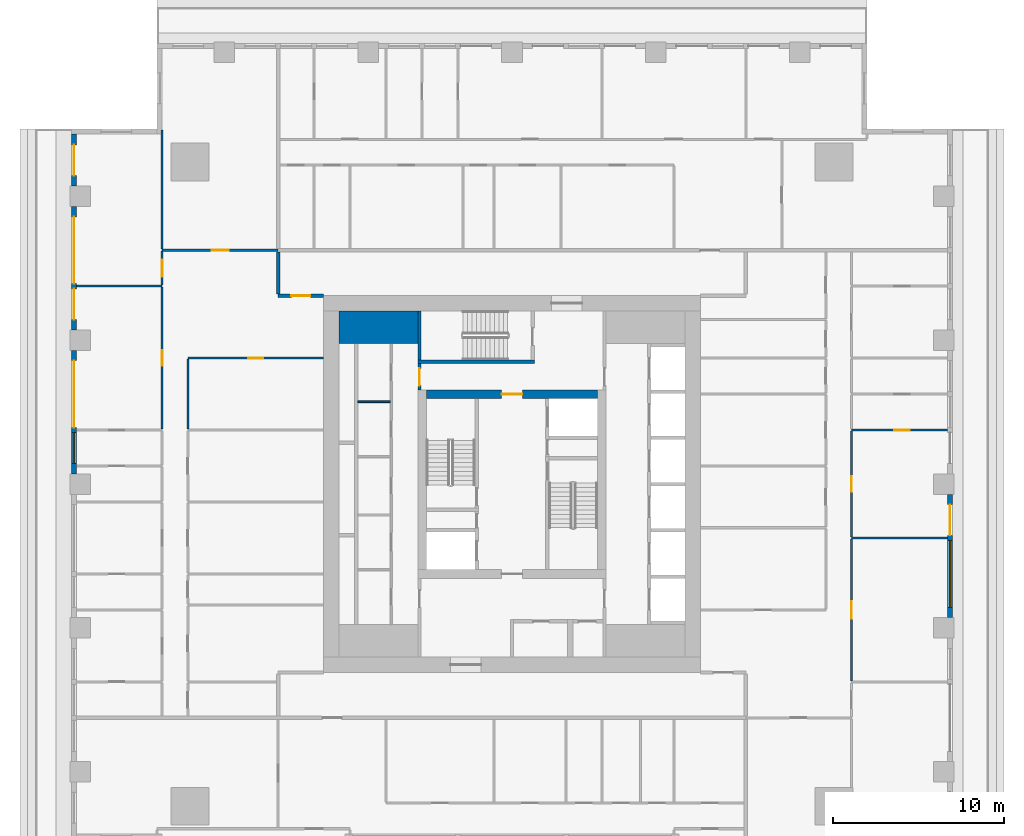
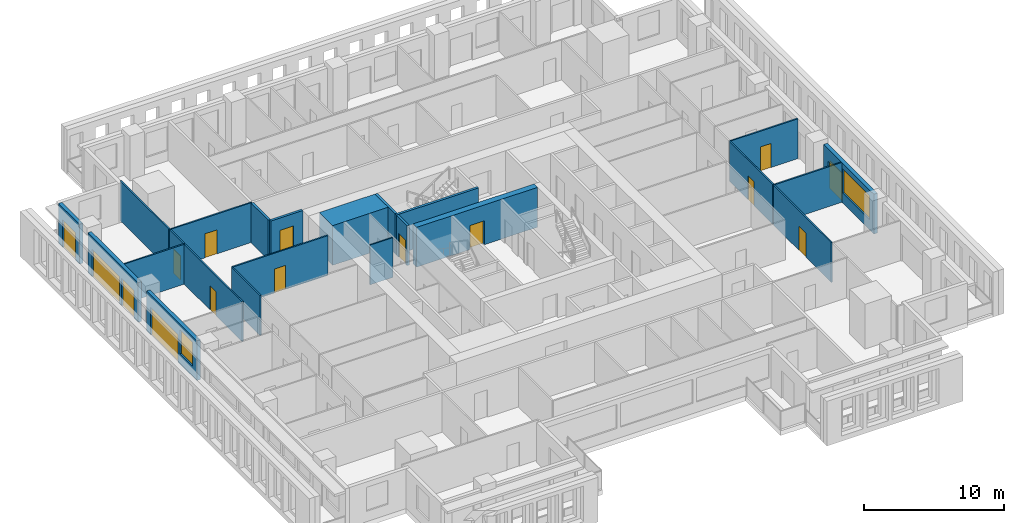
# One storey, part 6 of 14: 23 walls, 15 doors, 2 windows, 17 openings.
"""IFC4 building model written with IfcOpenShell, lengths in metres."""

from ifc_helpers import new_model, si_unit, direction, frame, frame_2d, origin, place, context, subcontext, project, spatial, rectangle, extrude, material, layer, layer_set, type_object, element, fill, save


model = new_model("IFC4")

# Units and contexts
model_context = context("Model", 3, precision=1e-05, world=origin(), true_north=direction((0.0, 1.0)))
body_context = subcontext(model_context, "Body", "Model", "MODEL_VIEW")
ifc_project = project(units=[si_unit("LENGTHUNIT", "METRE"), si_unit("AREAUNIT", "SQUARE_METRE"), si_unit("VOLUMEUNIT", "CUBIC_METRE"), si_unit("PLANEANGLEUNIT", "RADIAN"), si_unit("MASSUNIT", "GRAM", prefix="KILO")], contexts=[model_context])

# Site, building, storey
site_placement = place(None, origin())
site = spatial("IfcSite", under=ifc_project, at=site_placement, CompositionType="ELEMENT")
building_placement = place(site_placement, origin())
building = spatial("IfcBuilding", under=site, at=building_placement, Name="Khepri Terraces", CompositionType="ELEMENT")
storey_placement = place(building_placement, frame((0.0, 0.0, 264.0)))
storey = spatial("IfcBuildingStorey", under=building, at=storey_placement, Name="L63", CompositionType="ELEMENT", Elevation=264.0)

# Walls
ifc_material_1 = material(Name="Concrete C40/50", Category="concrete")
ifc_layer_1 = layer(ifc_material_1, 1.89990234375, Name="Concrete C40/50", Category="concrete")
ifc_layer_set_1 = layer_set([ifc_layer_1], Name="Concrete C40/50")
wall_type_1 = type_object("IfcWallType", Name="Core wall 1900 C40/50", PredefinedType="SHEAR", material=ifc_layer_set_1)
wall_1_placement = place(storey_placement, frame((-10.10009765625, 9.14990234375, 0.0), z_axis=(0.0, 0.0, 1.0), x_axis=(1.0, 0.0, 0.0)))
element("IfcWall", 1, at=wall_1_placement, inside=storey, type_object=wall_type_1, Name="Core wall PR03 L63", PredefinedType="SHEAR", context=body_context, shape_type="SweptSolid", body=[
    extrude(rectangle(XDim=4.60009765625, YDim=1.89990234375, at=frame_2d((2.300048828125, 0.0))), origin(), (0.0, 0.0, 1.0), 3.47998046875),
])
ifc_layer_2 = layer(ifc_material_1, 0.199951171875, Name="Concrete C40/50", Category="concrete")
ifc_layer_set_2 = layer_set([ifc_layer_2], Name="Concrete C40/50")
wall_type_2 = type_object("IfcWallType", Name="Core wall 200 C40/50", PredefinedType="SHEAR", material=ifc_layer_set_2)
wall_2_placement = place(storey_placement, frame((-5.5, 7.14990234375, 0.0), z_axis=(0.0, 0.0, 1.0), x_axis=(1.0, 0.0, 0.0)))
element("IfcWall", 2, at=wall_2_placement, inside=storey, type_object=wall_type_2, Name="Core wall ST05 L63", PredefinedType="SHEAR", context=body_context, shape_type="SweptSolid", body=[
    extrude(rectangle(XDim=6.800048828125, YDim=0.199951171875, at=frame_2d((3.39990234375, 0.0))), origin(), (0.0, 0.0, 1.0), 3.47998046875),
])
wall_3_placement = place(storey_placement, frame((-5.39990234375, 7.25, 0.0), z_axis=(0.0, 0.0, 1.0), x_axis=(0.0, 1.0, 0.0)))
element("IfcWall", 3, at=wall_3_placement, inside=storey, type_object=wall_type_2, Name="Core wall ST06 L63", PredefinedType="SHEAR", context=body_context, shape_type="SweptSolid", body=[
    extrude(rectangle(XDim=2.85009765625, YDim=0.199951171875, at=frame_2d((1.425048828125, 0.0))), origin(), (0.0, 0.0, 1.0), 3.47998046875),
])

# Wall, opening, door
ifc_layer_3 = layer(ifc_material_1, 0.5, Name="Concrete C40/50", Category="concrete")
ifc_layer_set_3 = layer_set([ifc_layer_3], Name="Concrete C40/50")
wall_type_3 = type_object("IfcWallType", Name="Core wall 500 C40/50", PredefinedType="SHEAR", material=ifc_layer_set_3)
wall_4_placement = place(storey_placement, frame((-5.0, 5.25, 0.0), z_axis=(0.0, 0.0, 1.0), x_axis=(1.0, 0.0, 0.0)))
wall_4 = element("IfcWall", 4, at=wall_4_placement, inside=storey, type_object=wall_type_3, Name="Core wall BX04 L63", PredefinedType="SHEAR", context=body_context, shape_type="SweptSolid", body=[
    extrude(rectangle(XDim=10.0, YDim=0.5, at=frame_2d((5.0, 0.0))), origin(), (0.0, 0.0, 1.0), 3.47998046875),
])
opening_1_placement = place(wall_4_placement, frame((4.39990234375, 0.0, 0.0)))
opening_1 = element("IfcOpeningElement", 5, at=opening_1_placement, cuts=wall_4, Name="Opening L63-C13", PredefinedType="OPENING", context=body_context, shape_type="SweptSolid", body=[
    extrude(rectangle(XDim=1.199951171875, YDim=2.10009765625, at=frame_2d((0.60009765625, 1.050048828125))), frame((0.0, 0.260009765625, 0.0), z_axis=(0.0, -1.0, 0.0), x_axis=(1.0, 0.0, 0.0)), (0.0, 0.0, 1.0), 0.52001953125),
])
ifc_material_2 = material(Name="Painted steel", Category="steel")
door_type_1 = type_object("IfcDoorType", Name="DR-CORE-FF-LOBBY-1200", OperationType="NOTDEFINED", PredefinedType="DOOR", material=ifc_material_2)
door_1_placement = place(opening_1_placement, frame((1.199951171875, 0.0, 0.0), z_axis=(0.0, 0.0, 1.0), x_axis=(-1.0, 0.0, 0.0)))
door_1 = element("IfcDoor", 6, at=door_1_placement, inside=storey, type_object=door_type_1, Name="Firefighting lobby door L63-C13", OperationType="SINGLE_SWING_LEFT", OverallHeight=2.10009765625, OverallWidth=1.199951171875, PredefinedType="DOOR", context=body_context, shape_type="SweptSolid", body=[
    extrude(rectangle(XDim=1.199951171875, YDim=2.10009765625, at=frame_2d((0.60009765625, 1.050048828125))), frame((0.0, 0.02490234375, 0.0), z_axis=(0.0, -1.0, 0.0), x_axis=(1.0, 0.0, 0.0)), (0.0, 0.0, 1.0), 0.050048828125),
])
fill(opening_1, door_1)

# Wall
ifc_material_3 = material(Name="Fire-rated gypsum board partition")
ifc_layer_4 = layer(ifc_material_3, 0.10009765625, Name="Fire-rated gypsum board partition")
ifc_layer_set_4 = layer_set([ifc_layer_4], Name="Fire-rated gypsum board partition")
wall_type_4 = type_object("IfcWallType", Name="WL-CORE-PART-100", PredefinedType="PARTITIONING", material=ifc_layer_set_4)
wall_5_placement = place(storey_placement, frame((-9.0, 4.800048828125, 0.0), z_axis=(0.0, 0.0, 1.0), x_axis=(1.0, 0.0, 0.0)))
element("IfcWall", 7, at=wall_5_placement, inside=storey, type_object=wall_type_4, Name="Core partition PT11 L63", PredefinedType="PARTITIONING", context=body_context, shape_type="SweptSolid", body=[
    extrude(rectangle(XDim=1.89990234375, YDim=0.10009765625, at=frame_2d((0.949951171875, 0.0))), origin(), (0.0, 0.0, 1.0), 3.47998046875),
])

# Wall, opening, door
ifc_layer_5 = layer(ifc_material_3, 0.199951171875, Name="Fire-rated gypsum board partition")
ifc_layer_set_5 = layer_set([ifc_layer_5], Name="Fire-rated gypsum board partition")
wall_type_5 = type_object("IfcWallType", Name="WL-CORE-PART-200", PredefinedType="PARTITIONING", material=ifc_layer_set_5)
wall_6_placement = place(storey_placement, frame((-5.39990234375, 5.5, 0.0), z_axis=(0.0, 0.0, 1.0), x_axis=(0.0, 1.0, 0.0)))
wall_6 = element("IfcWall", 8, at=wall_6_placement, inside=storey, type_object=wall_type_5, Name="Core partition PT12 L63", PredefinedType="PARTITIONING", context=body_context, shape_type="SweptSolid", body=[
    extrude(rectangle(XDim=1.550048828125, YDim=0.199951171875, at=frame_2d((0.77490234375, 0.0))), origin(), (0.0, 0.0, 1.0), 3.47998046875),
])
opening_2_placement = place(wall_6_placement, frame((0.25, 0.0, 0.0)))
opening_2 = element("IfcOpeningElement", 9, at=opening_2_placement, cuts=wall_6, Name="Opening L63-C16", PredefinedType="OPENING", context=body_context, shape_type="SweptSolid", body=[
    extrude(rectangle(XDim=1.0, YDim=2.10009765625, at=frame_2d((0.5, 1.050048828125))), frame((0.0, 0.10986328125, 0.0), z_axis=(0.0, -1.0, 0.0), x_axis=(1.0, 0.0, 0.0)), (0.0, 0.0, 1.0), 0.219970703125),
])
door_type_2 = type_object("IfcDoorType", Name="DR-CORE-LOBBY-1000", OperationType="NOTDEFINED", PredefinedType="DOOR", material=ifc_material_2)
door_2_placement = place(opening_2_placement, frame((1.0, 0.0, 0.0), z_axis=(0.0, 0.0, 1.0), x_axis=(-1.0, 0.0, 0.0)))
door_2 = element("IfcDoor", 10, at=door_2_placement, inside=storey, type_object=door_type_2, Name="Lobby door L63-C16", OperationType="SINGLE_SWING_RIGHT", OverallHeight=2.10009765625, OverallWidth=1.0, PredefinedType="DOOR", context=body_context, shape_type="SweptSolid", body=[
    extrude(rectangle(XDim=1.0, YDim=2.10009765625, at=frame_2d((0.5, 1.050048828125))), frame((0.0, 0.02490234375, 0.0), z_axis=(0.0, -1.0, 0.0), x_axis=(1.0, 0.0, 0.0)), (0.0, 0.0, 1.0), 0.050048828125),
])
fill(opening_2, door_2)

ifc_material_4 = material(Name="Fire-rated gypsum plasterboard partition, mineral wool")
ifc_layer_6 = layer(ifc_material_4, 0.199951171875, Name="Fire-rated gypsum plasterboard partition, mineral wool")
ifc_layer_set_6 = layer_set([ifc_layer_6], Name="Fire-rated gypsum plasterboard partition, mineral wool")
wall_type_6 = type_object("IfcWallType", Name="WL-CORR-200", PredefinedType="PARTITIONING", material=ifc_layer_set_6)
wall_7_placement = place(storey_placement, frame((-13.64990234375, 11.0, 0.0), z_axis=(0.0, 0.0, 1.0), x_axis=(1.0, 0.0, 0.0)))
wall_7 = element("IfcWall", 11, at=wall_7_placement, inside=storey, type_object=wall_type_6, Name="Partition P-072 L63", PredefinedType="PARTITIONING", context=body_context, shape_type="SweptSolid", body=[
    extrude(rectangle(XDim=2.64990234375, YDim=0.199951171875, at=frame_2d((1.324951171875, 0.0))), origin(), (0.0, 0.0, 1.0), 3.47998046875),
])
opening_3_placement = place(wall_7_placement, frame((0.77490234375, 0.0, 0.0)))
opening_3 = element("IfcOpeningElement", 12, at=opening_3_placement, cuts=wall_7, Name="Opening D1", PredefinedType="OPENING", context=body_context, shape_type="SweptSolid", body=[
    extrude(rectangle(XDim=1.10009765625, YDim=2.39990234375, at=frame_2d((0.550048828125, 1.199951171875))), frame((0.0, 0.10986328125, 0.0), z_axis=(0.0, -1.0, 0.0), x_axis=(1.0, 0.0, 0.0)), (0.0, 0.0, 1.0), 0.219970703125),
])
ifc_material_5 = material(Name="Solid-core timber door leaf, flat entrance door", Category="wood")
door_type_3 = type_object("IfcDoorType", Name="DR-ENT-1100", OperationType="NOTDEFINED", PredefinedType="DOOR", material=ifc_material_5)
door_3_placement = place(opening_3_placement, frame((1.10009765625, 0.0, 0.0), z_axis=(0.0, 0.0, 1.0), x_axis=(-1.0, 0.0, 0.0)))
door_3 = element("IfcDoor", 13, at=door_3_placement, inside=storey, type_object=door_type_3, Name="Flat D1 entrance door", OperationType="SINGLE_SWING_LEFT", OverallHeight=2.39990234375, OverallWidth=1.10009765625, PredefinedType="DOOR", context=body_context, shape_type="SweptSolid", body=[
    extrude(rectangle(XDim=1.10009765625, YDim=2.39990234375, at=frame_2d((0.550048828125, 1.199951171875))), frame((0.0, 0.02490234375, 0.0), z_axis=(0.0, -1.0, 0.0), x_axis=(1.0, 0.0, 0.0)), (0.0, 0.0, 1.0), 0.050048828125),
])
fill(opening_3, door_3)

# Wall
wall_8_placement = place(storey_placement, frame((-13.64990234375, 11.10009765625, 0.0), z_axis=(0.0, 0.0, 1.0), x_axis=(0.0, 1.0, 0.0)))
element("IfcWall", 14, at=wall_8_placement, inside=storey, type_object=wall_type_6, Name="Partition P-074 L63", PredefinedType="PARTITIONING", context=body_context, shape_type="SweptSolid", body=[
    extrude(rectangle(XDim=2.449951171875, YDim=0.199951171875, at=frame_2d((1.22509765625, 0.0))), origin(), (0.0, 0.0, 1.0), 3.47998046875),
])

# Wall, openings, door, window
ifc_material_6 = material(Name="Precast concrete C50/60 warm stone", Category="masonry")
ifc_layer_7 = layer(ifc_material_6, 0.300048828125, Name="Precast concrete C50/60 warm stone", Category="masonry")
ifc_layer_set_7 = layer_set([ifc_layer_7], Name="Precast concrete C50/60 warm stone")
wall_type_7 = type_object("IfcWallType", Name="WL-EXT-PRECAST-300", PredefinedType="STANDARD", material=ifc_layer_set_7)
wall_9_placement = place(storey_placement, frame((25.570068359375, -7.800048828125, 0.0), z_axis=(0.0, 0.0, 1.0), x_axis=(0.0, 1.0, 0.0)))
wall_9 = element("IfcWall", 15, at=wall_9_placement, inside=storey, type_object=wall_type_7, Name="External wall L63 E", PredefinedType="STANDARD", context=body_context, shape_type="SweptSolid", body=[
    extrude(rectangle(XDim=7.199951171875, YDim=0.300048828125, at=frame_2d((3.60009765625, 0.0))), origin(), (0.0, 0.0, 1.0), 3.47998046875),
])
opening_4_placement = place(wall_9_placement, frame((0.60009765625, 0.0, 0.89990234375)))
opening_4 = element("IfcOpeningElement", 16, at=opening_4_placement, cuts=wall_9, Name="Opening W2", PredefinedType="OPENING", context=body_context, shape_type="SweptSolid", body=[
    extrude(rectangle(XDim=3.89990234375, YDim=2.10009765625, at=frame_2d((1.949951171875, 1.050048828125))), frame((0.0, 0.16015625, 0.0), z_axis=(0.0, -1.0, 0.0), x_axis=(1.0, 0.0, 0.0)), (0.0, 0.0, 1.0), 0.320068359375),
])
opening_5_placement = place(wall_9_placement, frame((4.800048828125, 0.0, 0.0)))
opening_5 = element("IfcOpeningElement", 17, at=opening_5_placement, cuts=wall_9, Name="Opening ED-L63-03", PredefinedType="OPENING", context=body_context, shape_type="SweptSolid", body=[
    extrude(rectangle(XDim=1.800048828125, YDim=2.39990234375, at=frame_2d((0.89990234375, 1.199951171875))), frame((0.0, 0.16015625, 0.0), z_axis=(0.0, -1.0, 0.0), x_axis=(1.0, 0.0, 0.0)), (0.0, 0.0, 1.0), 0.320068359375),
])
ifc_material_7 = material(Name="Anodised aluminium bronze glazed door", Category="aluminium")
door_type_4 = type_object("IfcDoorType", Name="DR-BAL-SLIDE-1800x2400", OperationType="NOTDEFINED", PredefinedType="DOOR", material=ifc_material_7)
door_4_placement = place(opening_5_placement, origin())
door_4 = element("IfcDoor", 18, at=door_4_placement, inside=storey, type_object=door_type_4, Name="Balcony door L63 E", OperationType="SLIDING_TO_RIGHT", OverallHeight=2.39990234375, OverallWidth=1.800048828125, PredefinedType="DOOR", context=body_context, shape_type="SweptSolid", body=[
    extrude(rectangle(XDim=1.800048828125, YDim=2.39990234375, at=frame_2d((0.89990234375, 1.199951171875))), frame((0.0, 0.02490234375, 0.0), z_axis=(0.0, -1.0, 0.0), x_axis=(1.0, 0.0, 0.0)), (0.0, 0.0, 1.0), 0.050048828125),
])
fill(opening_5, door_4)
ifc_material_8 = material(Name="Clear glass", Category="glass")
window_type_1 = type_object("IfcWindowType", Name="WIN-RES-3900x2100", PartitioningType="SINGLE_PANEL", PredefinedType="WINDOW", material=ifc_material_8)
window_1_placement = place(opening_4_placement, origin())
window_1 = element("IfcWindow", 19, at=window_1_placement, inside=storey, type_object=window_type_1, Name="Window L63 E", OverallHeight=2.10009765625, OverallWidth=3.89990234375, PartitioningType="SINGLE_PANEL", PredefinedType="WINDOW", context=body_context, shape_type="SweptSolid", body=[
    extrude(rectangle(XDim=3.89990234375, YDim=2.10009765625, at=frame_2d((1.949951171875, 1.050048828125))), frame((0.0, 0.030029296875, 0.0), z_axis=(0.0, -1.0, 0.0), x_axis=(1.0, 0.0, 0.0)), (0.0, 0.0, 1.0), 0.06005859375),
])
fill(opening_4, window_1)

# Wall, opening, door
wall_10_placement = place(storey_placement, frame((-25.570068359375, 20.419921875, 0.0), z_axis=(0.0, 0.0, 1.0), x_axis=(0.0, -1.0, 0.0)))
wall_10 = element("IfcWall", 20, at=wall_10_placement, inside=storey, type_object=wall_type_7, Name="External wall L63 W", PredefinedType="STANDARD", context=body_context, shape_type="SweptSolid", body=[
    extrude(rectangle(XDim=3.02001953125, YDim=0.300048828125, at=frame_2d((1.510009765625, 0.0))), origin(), (0.0, 0.0, 1.0), 3.47998046875),
])
opening_6_placement = place(wall_10_placement, frame((0.6201171875, 0.0, 0.0)))
opening_6 = element("IfcOpeningElement", 21, at=opening_6_placement, cuts=wall_10, Name="Opening ED-L63-11", PredefinedType="OPENING", context=body_context, shape_type="SweptSolid", body=[
    extrude(rectangle(XDim=1.800048828125, YDim=2.39990234375, at=frame_2d((0.89990234375, 1.199951171875))), frame((0.0, 0.16015625, 0.0), z_axis=(0.0, -1.0, 0.0), x_axis=(1.0, 0.0, 0.0)), (0.0, 0.0, 1.0), 0.320068359375),
])
door_5_placement = place(opening_6_placement, origin())
door_5 = element("IfcDoor", 22, at=door_5_placement, inside=storey, type_object=door_type_4, Name="Balcony door L63 W", OperationType="SLIDING_TO_RIGHT", OverallHeight=2.39990234375, OverallWidth=1.800048828125, PredefinedType="DOOR", context=body_context, shape_type="SweptSolid", body=[
    extrude(rectangle(XDim=1.800048828125, YDim=2.39990234375, at=frame_2d((0.89990234375, 1.199951171875))), frame((0.0, 0.02490234375, 0.0), z_axis=(0.0, -1.0, 0.0), x_axis=(1.0, 0.0, 0.0)), (0.0, 0.0, 1.0), 0.050048828125),
])
fill(opening_6, door_5)

# Wall, openings, doors
wall_11_placement = place(storey_placement, frame((-25.570068359375, 16.199951171875, 0.0), z_axis=(0.0, 0.0, 1.0), x_axis=(0.0, -1.0, 0.0)))
wall_11 = element("IfcWall", 23, at=wall_11_placement, inside=storey, type_object=wall_type_7, Name="External wall L63 W", PredefinedType="STANDARD", context=body_context, shape_type="SweptSolid", body=[
    extrude(rectangle(XDim=7.199951171875, YDim=0.300048828125, at=frame_2d((3.60009765625, 0.0))), origin(), (0.0, 0.0, 1.0), 3.47998046875),
])
opening_7_placement = place(wall_11_placement, frame((0.60009765625, 0.0, 0.0)))
opening_7 = element("IfcOpeningElement", 24, at=opening_7_placement, cuts=wall_11, Name="Opening ED-L63-12", PredefinedType="OPENING", context=body_context, shape_type="SweptSolid", body=[
    extrude(rectangle(XDim=3.89990234375, YDim=2.39990234375, at=frame_2d((1.949951171875, 1.199951171875))), frame((0.0, 0.16015625, 0.0), z_axis=(0.0, -1.0, 0.0), x_axis=(1.0, 0.0, 0.0)), (0.0, 0.0, 1.0), 0.320068359375),
])
opening_8_placement = place(wall_11_placement, frame((4.800048828125, 0.0, 0.0)))
opening_8 = element("IfcOpeningElement", 25, at=opening_8_placement, cuts=wall_11, Name="Opening ED-L63-13", PredefinedType="OPENING", context=body_context, shape_type="SweptSolid", body=[
    extrude(rectangle(XDim=1.800048828125, YDim=2.39990234375, at=frame_2d((0.89990234375, 1.199951171875))), frame((0.0, 0.16015625, 0.0), z_axis=(0.0, -1.0, 0.0), x_axis=(1.0, 0.0, 0.0)), (0.0, 0.0, 1.0), 0.320068359375),
])
door_6_placement = place(opening_8_placement, origin())
door_6 = element("IfcDoor", 26, at=door_6_placement, inside=storey, type_object=door_type_4, Name="Balcony door L63 W", OperationType="SLIDING_TO_RIGHT", OverallHeight=2.39990234375, OverallWidth=1.800048828125, PredefinedType="DOOR", context=body_context, shape_type="SweptSolid", body=[
    extrude(rectangle(XDim=1.800048828125, YDim=2.39990234375, at=frame_2d((0.89990234375, 1.199951171875))), frame((0.0, 0.02490234375, 0.0), z_axis=(0.0, -1.0, 0.0), x_axis=(1.0, 0.0, 0.0)), (0.0, 0.0, 1.0), 0.050048828125),
])
fill(opening_8, door_6)
door_type_5 = type_object("IfcDoorType", Name="DR-BAL-SLIDE-3900x2400", OperationType="NOTDEFINED", PredefinedType="DOOR", material=ifc_material_7)
door_7_placement = place(opening_7_placement, origin())
door_7 = element("IfcDoor", 27, at=door_7_placement, inside=storey, type_object=door_type_5, Name="Balcony door L63 W", OperationType="SLIDING_TO_LEFT", OverallHeight=2.39990234375, OverallWidth=3.89990234375, PredefinedType="DOOR", context=body_context, shape_type="SweptSolid", body=[
    extrude(rectangle(XDim=3.89990234375, YDim=2.39990234375, at=frame_2d((1.949951171875, 1.199951171875))), frame((0.0, 0.02490234375, 0.0), z_axis=(0.0, -1.0, 0.0), x_axis=(1.0, 0.0, 0.0)), (0.0, 0.0, 1.0), 0.050048828125),
])
fill(opening_7, door_7)

# Wall, openings, door, window
wall_12_placement = place(storey_placement, frame((-25.570068359375, 7.800048828125, 0.0), z_axis=(0.0, 0.0, 1.0), x_axis=(0.0, -1.0, 0.0)))
wall_12 = element("IfcWall", 28, at=wall_12_placement, inside=storey, type_object=wall_type_7, Name="External wall L63 W", PredefinedType="STANDARD", context=body_context, shape_type="SweptSolid", body=[
    extrude(rectangle(XDim=7.199951171875, YDim=0.300048828125, at=frame_2d((3.60009765625, 0.0))), origin(), (0.0, 0.0, 1.0), 3.47998046875),
])
opening_9_placement = place(wall_12_placement, frame((0.60009765625, 0.0, 0.0)))
opening_9 = element("IfcOpeningElement", 29, at=opening_9_placement, cuts=wall_12, Name="Opening ED-L63-14", PredefinedType="OPENING", context=body_context, shape_type="SweptSolid", body=[
    extrude(rectangle(XDim=3.89990234375, YDim=2.39990234375, at=frame_2d((1.949951171875, 1.199951171875))), frame((0.0, 0.16015625, 0.0), z_axis=(0.0, -1.0, 0.0), x_axis=(1.0, 0.0, 0.0)), (0.0, 0.0, 1.0), 0.320068359375),
])
opening_10_placement = place(wall_12_placement, frame((4.800048828125, 0.0, 0.89990234375)))
opening_10 = element("IfcOpeningElement", 30, at=opening_10_placement, cuts=wall_12, Name="Opening W1", PredefinedType="OPENING", context=body_context, shape_type="SweptSolid", body=[
    extrude(rectangle(XDim=1.800048828125, YDim=2.10009765625, at=frame_2d((0.89990234375, 1.050048828125))), frame((0.0, 0.16015625, 0.0), z_axis=(0.0, -1.0, 0.0), x_axis=(1.0, 0.0, 0.0)), (0.0, 0.0, 1.0), 0.320068359375),
])
door_8_placement = place(opening_9_placement, origin())
door_8 = element("IfcDoor", 31, at=door_8_placement, inside=storey, type_object=door_type_5, Name="Balcony door L63 W", OperationType="SLIDING_TO_LEFT", OverallHeight=2.39990234375, OverallWidth=3.89990234375, PredefinedType="DOOR", context=body_context, shape_type="SweptSolid", body=[
    extrude(rectangle(XDim=3.89990234375, YDim=2.39990234375, at=frame_2d((1.949951171875, 1.199951171875))), frame((0.0, 0.02490234375, 0.0), z_axis=(0.0, -1.0, 0.0), x_axis=(1.0, 0.0, 0.0)), (0.0, 0.0, 1.0), 0.050048828125),
])
fill(opening_9, door_8)
window_type_2 = type_object("IfcWindowType", Name="WIN-RES-1800x2100", PartitioningType="SINGLE_PANEL", PredefinedType="WINDOW", material=ifc_material_8)
window_2_placement = place(opening_10_placement, origin())
window_2 = element("IfcWindow", 32, at=window_2_placement, inside=storey, type_object=window_type_2, Name="Window L63 W", OverallHeight=2.10009765625, OverallWidth=1.800048828125, PartitioningType="SINGLE_PANEL", PredefinedType="WINDOW", context=body_context, shape_type="SweptSolid", body=[
    extrude(rectangle(XDim=1.800048828125, YDim=2.10009765625, at=frame_2d((0.89990234375, 1.050048828125))), frame((0.0, 0.030029296875, 0.0), z_axis=(0.0, -1.0, 0.0), x_axis=(1.0, 0.0, 0.0)), (0.0, 0.0, 1.0), 0.06005859375),
])
fill(opening_10, window_2)

# Wall, opening, door
ifc_material_9 = material(Name="Gypsum plasterboard partition")
ifc_layer_8 = layer(ifc_material_9, 0.1201171875, Name="Gypsum plasterboard partition")
ifc_layer_set_8 = layer_set([ifc_layer_8], Name="Gypsum plasterboard partition")
wall_type_8 = type_object("IfcWallType", Name="WL-PART-120", PredefinedType="PARTITIONING", material=ifc_layer_set_8)
wall_13_placement = place(storey_placement, frame((19.820068359375, -11.489990234375, 0.0), z_axis=(0.0, 0.0, 1.0), x_axis=(0.0, 1.0, 0.0)))
wall_13 = element("IfcWall", 33, at=wall_13_placement, inside=storey, type_object=wall_type_8, Name="Partition P-030 L63", PredefinedType="PARTITIONING", context=body_context, shape_type="SweptSolid", body=[
    extrude(rectangle(XDim=8.280029296875, YDim=0.1201171875, at=frame_2d((4.14013671875, 0.0))), origin(), (0.0, 0.0, 1.0), 3.47998046875),
])
opening_11_placement = place(wall_13_placement, frame((3.639892578125, 0.0, 0.0)))
opening_11 = element("IfcOpeningElement", 34, at=opening_11_placement, cuts=wall_13, Name="Opening D2", PredefinedType="OPENING", context=body_context, shape_type="SweptSolid", body=[
    extrude(rectangle(XDim=1.0, YDim=2.10009765625, at=frame_2d((0.5, 1.050048828125))), frame((0.0, 0.070068359375, 0.0), z_axis=(0.0, -1.0, 0.0), x_axis=(1.0, 0.0, 0.0)), (0.0, 0.0, 1.0), 0.14013671875),
])
ifc_material_10 = material(Name="Timber door leaf, living room door", Category="wood")
door_type_6 = type_object("IfcDoorType", Name="DR-INT-1000", OperationType="NOTDEFINED", PredefinedType="DOOR", material=ifc_material_10)
door_9_placement = place(opening_11_placement, frame((1.0, 0.0, 0.0), z_axis=(0.0, 0.0, 1.0), x_axis=(-1.0, 0.0, 0.0)))
door_9 = element("IfcDoor", 35, at=door_9_placement, inside=storey, type_object=door_type_6, Name="Door Dining Room", OperationType="SINGLE_SWING_RIGHT", OverallHeight=2.10009765625, OverallWidth=1.0, PredefinedType="DOOR", context=body_context, shape_type="SweptSolid", body=[
    extrude(rectangle(XDim=1.0, YDim=2.10009765625, at=frame_2d((0.5, 1.050048828125))), frame((0.0, 0.02490234375, 0.0), z_axis=(0.0, -1.0, 0.0), x_axis=(1.0, 0.0, 0.0)), (0.0, 0.0, 1.0), 0.050048828125),
])
fill(opening_11, door_9)

# Wall
wall_14_placement = place(storey_placement, frame((19.820068359375, -3.14990234375, 0.0), z_axis=(0.0, 0.0, 1.0), x_axis=(1.0, 0.0, 0.0)))
element("IfcWall", 36, at=wall_14_placement, inside=storey, type_object=wall_type_8, Name="Partition P-043 L63", PredefinedType="PARTITIONING", context=body_context, shape_type="SweptSolid", body=[
    extrude(rectangle(XDim=5.599853515625, YDim=0.1201171875, at=frame_2d((2.7998046875, 0.0))), origin(), (0.0, 0.0, 1.0), 3.47998046875),
])

# Wall, opening, door
wall_15_placement = place(storey_placement, frame((19.820068359375, -3.090087890625, 0.0), z_axis=(0.0, 0.0, 1.0), x_axis=(0.0, 1.0, 0.0)))
wall_15 = element("IfcWall", 37, at=wall_15_placement, inside=storey, type_object=wall_type_8, Name="Partition P-044 L63", PredefinedType="PARTITIONING", context=body_context, shape_type="SweptSolid", body=[
    extrude(rectangle(XDim=6.18017578125, YDim=0.1201171875, at=frame_2d((3.090087890625, 0.0))), origin(), (0.0, 0.0, 1.0), 3.47998046875),
])
opening_12_placement = place(wall_15_placement, frame((2.639892578125, 0.0, 0.0)))
opening_12 = element("IfcOpeningElement", 38, at=opening_12_placement, cuts=wall_15, Name="Opening D3", PredefinedType="OPENING", context=body_context, shape_type="SweptSolid", body=[
    extrude(rectangle(XDim=0.89990234375, YDim=2.10009765625, at=frame_2d((0.449951171875, 1.050048828125))), frame((0.0, 0.070068359375, 0.0), z_axis=(0.0, -1.0, 0.0), x_axis=(1.0, 0.0, 0.0)), (0.0, 0.0, 1.0), 0.14013671875),
])
ifc_material_11 = material(Name="Timber door leaf", Category="wood")
door_type_7 = type_object("IfcDoorType", Name="DR-INT-900", OperationType="NOTDEFINED", PredefinedType="DOOR", material=ifc_material_11)
door_10_placement = place(opening_12_placement, frame((0.89990234375, 0.0, 0.0), z_axis=(0.0, 0.0, 1.0), x_axis=(-1.0, 0.0, 0.0)))
door_10 = element("IfcDoor", 39, at=door_10_placement, inside=storey, type_object=door_type_7, Name="Door Master Bedroom", OperationType="SINGLE_SWING_LEFT", OverallHeight=2.10009765625, OverallWidth=0.89990234375, PredefinedType="DOOR", context=body_context, shape_type="SweptSolid", body=[
    extrude(rectangle(XDim=0.89990234375, YDim=2.10009765625, at=frame_2d((0.449951171875, 1.050048828125))), frame((0.0, 0.02490234375, 0.0), z_axis=(0.0, -1.0, 0.0), x_axis=(1.0, 0.0, 0.0)), (0.0, 0.0, 1.0), 0.050048828125),
])
fill(opening_12, door_10)

wall_16_placement = place(storey_placement, frame((19.820068359375, 3.14990234375, 0.0), z_axis=(0.0, 0.0, 1.0), x_axis=(1.0, 0.0, 0.0)))
wall_16 = element("IfcWall", 40, at=wall_16_placement, inside=storey, type_object=wall_type_8, Name="Partition P-057 L63", PredefinedType="PARTITIONING", context=body_context, shape_type="SweptSolid", body=[
    extrude(rectangle(XDim=5.599853515625, YDim=0.1201171875, at=frame_2d((2.7998046875, 0.0))), origin(), (0.0, 0.0, 1.0), 3.47998046875),
])
opening_13_placement = place(wall_16_placement, frame((2.5, 0.0, 0.0)))
opening_13 = element("IfcOpeningElement", 41, at=opening_13_placement, cuts=wall_16, Name="Opening D3", PredefinedType="OPENING", context=body_context, shape_type="SweptSolid", body=[
    extrude(rectangle(XDim=0.89990234375, YDim=2.10009765625, at=frame_2d((0.449951171875, 1.050048828125))), frame((0.0, 0.070068359375, 0.0), z_axis=(0.0, -1.0, 0.0), x_axis=(1.0, 0.0, 0.0)), (0.0, 0.0, 1.0), 0.14013671875),
])
door_11_placement = place(opening_13_placement, origin())
door_11 = element("IfcDoor", 42, at=door_11_placement, inside=storey, type_object=door_type_7, Name="Door Dressing Room", OperationType="SINGLE_SWING_RIGHT", OverallHeight=2.10009765625, OverallWidth=0.89990234375, PredefinedType="DOOR", context=body_context, shape_type="SweptSolid", body=[
    extrude(rectangle(XDim=0.89990234375, YDim=2.10009765625, at=frame_2d((0.449951171875, 1.050048828125))), frame((0.0, 0.02490234375, 0.0), z_axis=(0.0, -1.0, 0.0), x_axis=(1.0, 0.0, 0.0)), (0.0, 0.0, 1.0), 0.050048828125),
])
fill(opening_13, door_11)

wall_17_placement = place(storey_placement, frame((-20.419921875, 3.2099609375, 0.0), z_axis=(0.0, 0.0, 1.0), x_axis=(0.0, 1.0, 0.0)))
wall_17 = element("IfcWall", 43, at=wall_17_placement, inside=storey, type_object=wall_type_8, Name="Partition P-058 L63", PredefinedType="PARTITIONING", context=body_context, shape_type="SweptSolid", body=[
    extrude(rectangle(XDim=8.280029296875, YDim=0.1201171875, at=frame_2d((4.14013671875, 0.0))), origin(), (0.0, 0.0, 1.0), 3.47998046875),
])
opening_14_placement = place(wall_17_placement, frame((3.68994140625, 0.0, 0.0)))
opening_14 = element("IfcOpeningElement", 44, at=opening_14_placement, cuts=wall_17, Name="Opening D3", PredefinedType="OPENING", context=body_context, shape_type="SweptSolid", body=[
    extrude(rectangle(XDim=0.89990234375, YDim=2.10009765625, at=frame_2d((0.449951171875, 1.050048828125))), frame((0.0, 0.070068359375, 0.0), z_axis=(0.0, -1.0, 0.0), x_axis=(1.0, 0.0, 0.0)), (0.0, 0.0, 1.0), 0.14013671875),
])
door_12_placement = place(opening_14_placement, origin())
door_12 = element("IfcDoor", 45, at=door_12_placement, inside=storey, type_object=door_type_7, Name="Door Master Bedroom", OperationType="SINGLE_SWING_RIGHT", OverallHeight=2.10009765625, OverallWidth=0.89990234375, PredefinedType="DOOR", context=body_context, shape_type="SweptSolid", body=[
    extrude(rectangle(XDim=0.89990234375, YDim=2.10009765625, at=frame_2d((0.449951171875, 1.050048828125))), frame((0.0, 0.02490234375, 0.0), z_axis=(0.0, -1.0, 0.0), x_axis=(1.0, 0.0, 0.0)), (0.0, 0.0, 1.0), 0.050048828125),
])
fill(opening_14, door_12)

# Wall
wall_18_placement = place(storey_placement, frame((-18.919921875, 3.2099609375, 0.0), z_axis=(0.0, 0.0, 1.0), x_axis=(0.0, 1.0, 0.0)))
element("IfcWall", 46, at=wall_18_placement, inside=storey, type_object=wall_type_8, Name="Partition P-059 L63", PredefinedType="PARTITIONING", context=body_context, shape_type="SweptSolid", body=[
    extrude(rectangle(XDim=4.080078125, YDim=0.1201171875, at=frame_2d((2.0400390625, 0.0))), origin(), (0.0, 0.0, 1.0), 3.47998046875),
])

# Wall, opening, door
wall_19_placement = place(storey_placement, frame((-18.919921875, 7.35009765625, 0.0), z_axis=(0.0, 0.0, 1.0), x_axis=(1.0, 0.0, 0.0)))
wall_19 = element("IfcWall", 47, at=wall_19_placement, inside=storey, type_object=wall_type_8, Name="Partition P-065 L63", PredefinedType="PARTITIONING", context=body_context, shape_type="SweptSolid", body=[
    extrude(rectangle(XDim=7.919921875, YDim=0.1201171875, at=frame_2d((3.9599609375, 0.0))), origin(), (0.0, 0.0, 1.0), 3.47998046875),
])
opening_15_placement = place(wall_19_placement, frame((3.510009765625, 0.0, 0.0)))
opening_15 = element("IfcOpeningElement", 48, at=opening_15_placement, cuts=wall_19, Name="Opening D3", PredefinedType="OPENING", context=body_context, shape_type="SweptSolid", body=[
    extrude(rectangle(XDim=0.89990234375, YDim=2.10009765625, at=frame_2d((0.449951171875, 1.050048828125))), frame((0.0, 0.070068359375, 0.0), z_axis=(0.0, -1.0, 0.0), x_axis=(1.0, 0.0, 0.0)), (0.0, 0.0, 1.0), 0.14013671875),
])
door_13_placement = place(opening_15_placement, frame((0.89990234375, 0.0, 0.0), z_axis=(0.0, 0.0, 1.0), x_axis=(-1.0, 0.0, 0.0)))
door_13 = element("IfcDoor", 49, at=door_13_placement, inside=storey, type_object=door_type_7, Name="Door Kitchen", OperationType="SINGLE_SWING_LEFT", OverallHeight=2.10009765625, OverallWidth=0.89990234375, PredefinedType="DOOR", context=body_context, shape_type="SweptSolid", body=[
    extrude(rectangle(XDim=0.89990234375, YDim=2.10009765625, at=frame_2d((0.449951171875, 1.050048828125))), frame((0.0, 0.02490234375, 0.0), z_axis=(0.0, -1.0, 0.0), x_axis=(1.0, 0.0, 0.0)), (0.0, 0.0, 1.0), 0.050048828125),
])
fill(opening_15, door_13)

# Wall
wall_20_placement = place(storey_placement, frame((-25.419921875, 11.550048828125, 0.0), z_axis=(0.0, 0.0, 1.0), x_axis=(1.0, 0.0, 0.0)))
element("IfcWall", 50, at=wall_20_placement, inside=storey, type_object=wall_type_8, Name="Partition P-076 L63", PredefinedType="PARTITIONING", context=body_context, shape_type="SweptSolid", body=[
    extrude(rectangle(XDim=5.0, YDim=0.1201171875, at=frame_2d((2.5, 0.0))), origin(), (0.0, 0.0, 1.0), 3.47998046875),
])

# Wall, opening, door
wall_21_placement = place(storey_placement, frame((-20.419921875, 11.610107421875, 0.0), z_axis=(0.0, 0.0, 1.0), x_axis=(0.0, 1.0, 0.0)))
wall_21 = element("IfcWall", 51, at=wall_21_placement, inside=storey, type_object=wall_type_8, Name="Partition P-078 L63", PredefinedType="PARTITIONING", context=body_context, shape_type="SweptSolid", body=[
    extrude(rectangle(XDim=1.97998046875, YDim=0.1201171875, at=frame_2d((0.989990234375, 0.0))), origin(), (0.0, 0.0, 1.0), 3.47998046875),
])
opening_16_placement = place(wall_21_placement, frame((0.489990234375, 0.0, 0.0)))
opening_16 = element("IfcOpeningElement", 52, at=opening_16_placement, cuts=wall_21, Name="Opening D2", PredefinedType="OPENING", context=body_context, shape_type="SweptSolid", body=[
    extrude(rectangle(XDim=1.0, YDim=2.10009765625, at=frame_2d((0.5, 1.050048828125))), frame((0.0, 0.070068359375, 0.0), z_axis=(0.0, -1.0, 0.0), x_axis=(1.0, 0.0, 0.0)), (0.0, 0.0, 1.0), 0.14013671875),
])
door_14_placement = place(opening_16_placement, origin())
door_14 = element("IfcDoor", 53, at=door_14_placement, inside=storey, type_object=door_type_6, Name="Door Living Room", OperationType="SINGLE_SWING_RIGHT", OverallHeight=2.10009765625, OverallWidth=1.0, PredefinedType="DOOR", context=body_context, shape_type="SweptSolid", body=[
    extrude(rectangle(XDim=1.0, YDim=2.10009765625, at=frame_2d((0.5, 1.050048828125))), frame((0.0, 0.02490234375, 0.0), z_axis=(0.0, -1.0, 0.0), x_axis=(1.0, 0.0, 0.0)), (0.0, 0.0, 1.0), 0.050048828125),
])
fill(opening_16, door_14)

wall_22_placement = place(storey_placement, frame((-20.419921875, 13.64990234375, 0.0), z_axis=(0.0, 0.0, 1.0), x_axis=(1.0, 0.0, 0.0)))
wall_22 = element("IfcWall", 54, at=wall_22_placement, inside=storey, type_object=wall_type_8, Name="Partition P-080 L63", PredefinedType="PARTITIONING", context=body_context, shape_type="SweptSolid", body=[
    extrude(rectangle(XDim=6.77001953125, YDim=0.1201171875, at=frame_2d((3.385009765625, 0.0))), origin(), (0.0, 0.0, 1.0), 3.47998046875),
])
opening_17_placement = place(wall_22_placement, frame((2.885009765625, 0.0, 0.0)))
opening_17 = element("IfcOpeningElement", 55, at=opening_17_placement, cuts=wall_22, Name="Opening D2", PredefinedType="OPENING", context=body_context, shape_type="SweptSolid", body=[
    extrude(rectangle(XDim=1.0, YDim=2.10009765625, at=frame_2d((0.5, 1.050048828125))), frame((0.0, 0.070068359375, 0.0), z_axis=(0.0, -1.0, 0.0), x_axis=(1.0, 0.0, 0.0)), (0.0, 0.0, 1.0), 0.14013671875),
])
door_15_placement = place(opening_17_placement, origin())
door_15 = element("IfcDoor", 56, at=door_15_placement, inside=storey, type_object=door_type_6, Name="Door Family Room", OperationType="SINGLE_SWING_RIGHT", OverallHeight=2.10009765625, OverallWidth=1.0, PredefinedType="DOOR", context=body_context, shape_type="SweptSolid", body=[
    extrude(rectangle(XDim=1.0, YDim=2.10009765625, at=frame_2d((0.5, 1.050048828125))), frame((0.0, 0.02490234375, 0.0), z_axis=(0.0, -1.0, 0.0), x_axis=(1.0, 0.0, 0.0)), (0.0, 0.0, 1.0), 0.050048828125),
])
fill(opening_17, door_15)

# Wall
wall_23_placement = place(storey_placement, frame((-20.419921875, 13.7099609375, 0.0), z_axis=(0.0, 0.0, 1.0), x_axis=(0.0, 1.0, 0.0)))
element("IfcWall", 57, at=wall_23_placement, inside=storey, type_object=wall_type_8, Name="Partition P-082 L63", PredefinedType="PARTITIONING", context=body_context, shape_type="SweptSolid", body=[
    extrude(rectangle(XDim=6.948974609375, YDim=0.1201171875, at=frame_2d((3.474609375, 0.0))), origin(), (0.0, 0.0, 1.0), 3.47998046875),
])

save(model, "model.ifc")
